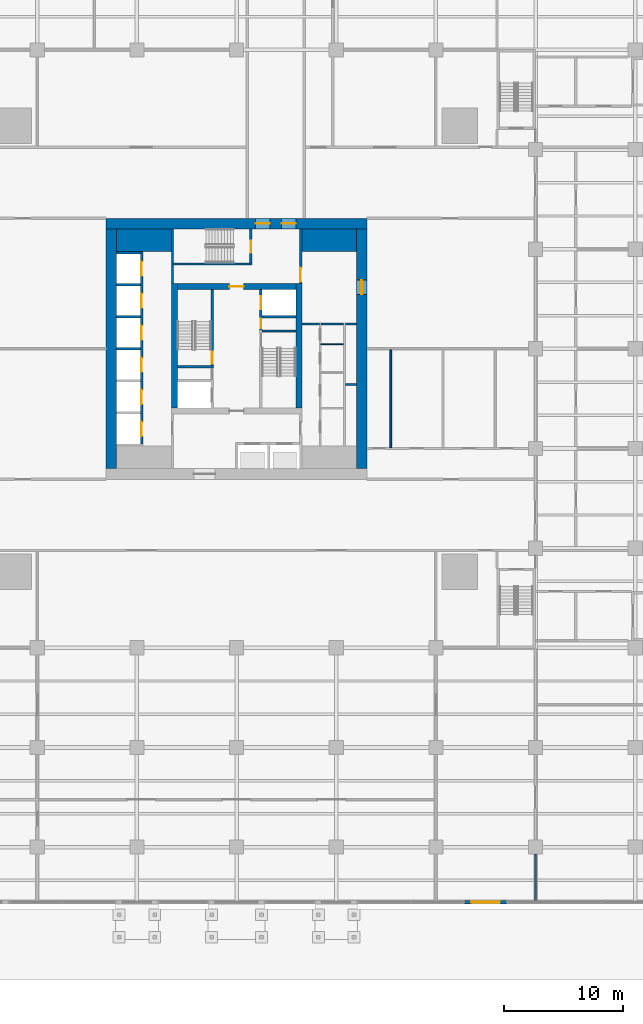
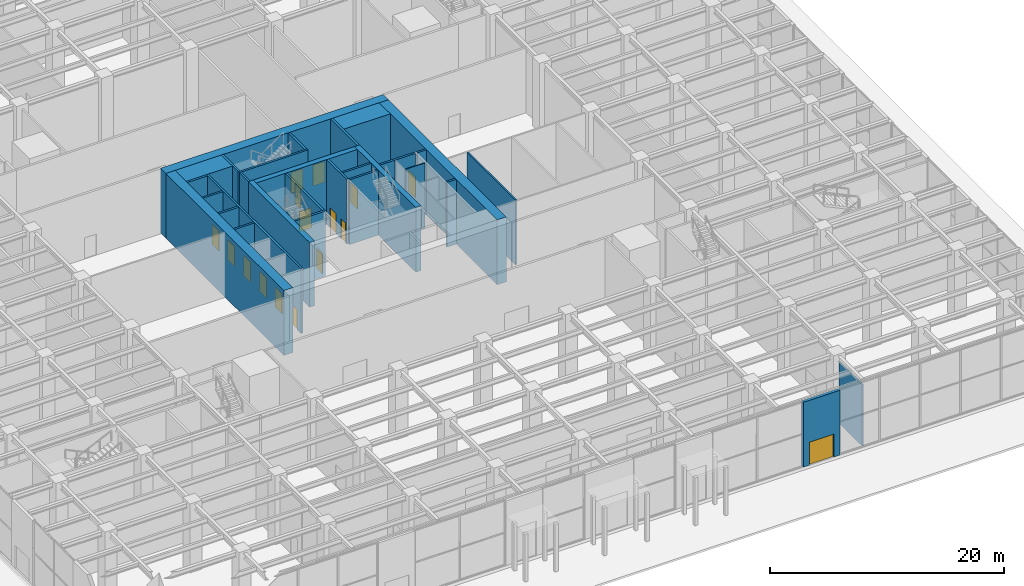
# One storey, part 31 of 43: 31 walls, 16 doors, 16 openings.
"""IFC4 building model written with IfcOpenShell, lengths in metres."""

from ifc_helpers import new_model, si_unit, direction, frame, frame_2d, origin, place, context, subcontext, project, spatial, rectangle, extrude, material, layer, layer_set, type_object, element, fill, save


model = new_model("IFC4")

# Units and contexts
model_context = context("Model", 3, precision=1e-05, world=origin(), true_north=direction((0.0, 1.0)))
body_context = subcontext(model_context, "Body", "Model", "MODEL_VIEW")
ifc_project = project(units=[si_unit("LENGTHUNIT", "METRE"), si_unit("AREAUNIT", "SQUARE_METRE"), si_unit("VOLUMEUNIT", "CUBIC_METRE"), si_unit("PLANEANGLEUNIT", "RADIAN"), si_unit("MASSUNIT", "GRAM", prefix="KILO")], contexts=[model_context])

# Site, building, storey
site_placement = place(None, origin())
site = spatial("IfcSite", under=ifc_project, at=site_placement, CompositionType="ELEMENT")
building_placement = place(site_placement, origin())
building = spatial("IfcBuilding", under=site, at=building_placement, Name="Khepri Terraces", CompositionType="ELEMENT")
storey_placement = place(building_placement, origin())
storey = spatial("IfcBuildingStorey", under=building, at=storey_placement, Name="L00", CompositionType="ELEMENT", Elevation=0.0)

# Walls
ifc_material_1 = material(Name="Concrete C80/95", Category="concrete")
ifc_layer_1 = layer(ifc_material_1, 1.89990234375, Name="Concrete C80/95", Category="concrete")
ifc_layer_set_1 = layer_set([ifc_layer_1], Name="Concrete C80/95")
wall_type_1 = type_object("IfcWallType", Name="Core wall 1900 C80/95", PredefinedType="SHEAR", material=ifc_layer_set_1)
for number, where, z_axis, x_axis, name in (
    (1, (-10.10009765625, 9.14990234375, 0.0), (0.0, 0.0, 1.0), (1.0, 0.0, 0.0), "Core wall PR03 L00"),
    (2, (5.5, 9.14990234375, 0.0), (0.0, 0.0, 1.0), (1.0, 0.0, 0.0), "Core wall PR04 L00"),
):
    element("IfcWall", number, at=place(storey_placement, frame(where, z_axis=z_axis, x_axis=x_axis)), inside=storey, type_object=wall_type_1, Name=name, PredefinedType="SHEAR", context=body_context, shape_type="SweptSolid", body=[
        extrude(rectangle(XDim=4.60009765625, YDim=1.89990234375, at=frame_2d((2.300048828125, 0.0))), origin(), (0.0, 0.0, 1.0), 6.780029296875),
    ])
ifc_layer_2 = layer(ifc_material_1, 0.199951171875, Name="Concrete C80/95", Category="concrete")
ifc_layer_set_2 = layer_set([ifc_layer_2], Name="Concrete C80/95")
wall_type_2 = type_object("IfcWallType", Name="Core wall 200 C80/95", PredefinedType="SHEAR", material=ifc_layer_set_2)
wall_1_placement = place(storey_placement, frame((-5.0, -1.5, 0.0), z_axis=(0.0, 0.0, 1.0), x_axis=(1.0, 0.0, 0.0)))
element("IfcWall", 3, at=wall_1_placement, inside=storey, type_object=wall_type_2, Name="Core wall ST02 L00", PredefinedType="SHEAR", context=body_context, shape_type="SweptSolid", body=[
    extrude(rectangle(XDim=3.050048828125, YDim=0.199951171875, at=frame_2d((1.52490234375, 0.0))), origin(), (0.0, 0.0, 1.0), 6.780029296875),
])

# Wall, opening, door
wall_2_placement = place(storey_placement, frame((-2.050048828125, -1.39990234375, 0.0), z_axis=(0.0, 0.0, 1.0), x_axis=(0.0, 1.0, 0.0)))
wall_2 = element("IfcWall", 4, at=wall_2_placement, inside=storey, type_object=wall_type_2, Name="Core wall ST03 L00", PredefinedType="SHEAR", context=body_context, shape_type="SweptSolid", body=[
    extrude(rectangle(XDim=6.39990234375, YDim=0.199951171875, at=frame_2d((3.199951171875, 0.0))), origin(), (0.0, 0.0, 1.0), 6.780029296875),
])
opening_1_placement = place(wall_2_placement, frame((0.14990234375, 0.0, 0.0)))
opening_1 = element("IfcOpeningElement", 5, at=opening_1_placement, cuts=wall_2, Name="Opening L00-C11", PredefinedType="OPENING", context=body_context, shape_type="SweptSolid", body=[
    extrude(rectangle(XDim=1.0, YDim=2.10009765625, at=frame_2d((0.5, 1.050048828125))), frame((0.0, 0.10986328125, 0.0), z_axis=(0.0, -1.0, 0.0), x_axis=(1.0, 0.0, 0.0)), (0.0, 0.0, 1.0), 0.219970703125),
])
ifc_material_2 = material(Name="Painted steel", Category="steel")
door_type_1 = type_object("IfcDoorType", Name="DR-CORE-STAIR-1000", OperationType="NOTDEFINED", PredefinedType="DOOR", material=ifc_material_2)
door_1_placement = place(opening_1_placement, origin())
door_1 = element("IfcDoor", 6, at=door_1_placement, inside=storey, type_object=door_type_1, Name="Stair door L00-C11", OperationType="SINGLE_SWING_LEFT", OverallHeight=2.10009765625, OverallWidth=1.0, PredefinedType="DOOR", context=body_context, shape_type="SweptSolid", body=[
    extrude(rectangle(XDim=1.0, YDim=2.10009765625, at=frame_2d((0.5, 1.050048828125))), frame((0.0, 0.02490234375, 0.0), z_axis=(0.0, -1.0, 0.0), x_axis=(1.0, 0.0, 0.0)), (0.0, 0.0, 1.0), 0.050048828125),
])
fill(opening_1, door_1)

# Walls
wall_3_placement = place(storey_placement, frame((2.14990234375, 1.5, 0.0), z_axis=(0.0, 0.0, 1.0), x_axis=(1.0, 0.0, 0.0)))
element("IfcWall", 7, at=wall_3_placement, inside=storey, type_object=wall_type_2, Name="Core wall ST04 L00", PredefinedType="SHEAR", context=body_context, shape_type="SweptSolid", body=[
    extrude(rectangle(XDim=2.85009765625, YDim=0.199951171875, at=frame_2d((1.425048828125, 0.0))), origin(), (0.0, 0.0, 1.0), 6.780029296875),
])
wall_4_placement = place(storey_placement, frame((-5.5, 7.14990234375, 0.0), z_axis=(0.0, 0.0, 1.0), x_axis=(1.0, 0.0, 0.0)))
element("IfcWall", 8, at=wall_4_placement, inside=storey, type_object=wall_type_2, Name="Core wall ST05 L00", PredefinedType="SHEAR", context=body_context, shape_type="SweptSolid", body=[
    extrude(rectangle(XDim=6.800048828125, YDim=0.199951171875, at=frame_2d((3.39990234375, 0.0))), origin(), (0.0, 0.0, 1.0), 6.780029296875),
])
wall_5_placement = place(storey_placement, frame((-5.39990234375, 7.25, 0.0), z_axis=(0.0, 0.0, 1.0), x_axis=(0.0, 1.0, 0.0)))
element("IfcWall", 9, at=wall_5_placement, inside=storey, type_object=wall_type_2, Name="Core wall ST06 L00", PredefinedType="SHEAR", context=body_context, shape_type="SweptSolid", body=[
    extrude(rectangle(XDim=2.85009765625, YDim=0.199951171875, at=frame_2d((1.425048828125, 0.0))), origin(), (0.0, 0.0, 1.0), 6.780029296875),
])

# Wall, opening, door
wall_6_placement = place(storey_placement, frame((1.199951171875, 7.25, 0.0), z_axis=(0.0, 0.0, 1.0), x_axis=(0.0, 1.0, 0.0)))
wall_6 = element("IfcWall", 10, at=wall_6_placement, inside=storey, type_object=wall_type_2, Name="Core wall ST07 L00", PredefinedType="SHEAR", context=body_context, shape_type="SweptSolid", body=[
    extrude(rectangle(XDim=2.85009765625, YDim=0.199951171875, at=frame_2d((1.425048828125, 0.0))), origin(), (0.0, 0.0, 1.0), 6.780029296875),
])
opening_2_placement = place(wall_6_placement, frame((0.85009765625, 0.0, 0.0)))
opening_2 = element("IfcOpeningElement", 11, at=opening_2_placement, cuts=wall_6, Name="Opening L00-C17", PredefinedType="OPENING", context=body_context, shape_type="SweptSolid", body=[
    extrude(rectangle(XDim=1.0, YDim=2.10009765625, at=frame_2d((0.5, 1.050048828125))), frame((0.0, 0.10986328125, 0.0), z_axis=(0.0, -1.0, 0.0), x_axis=(1.0, 0.0, 0.0)), (0.0, 0.0, 1.0), 0.219970703125),
])
door_2_placement = place(opening_2_placement, origin())
door_2 = element("IfcDoor", 12, at=door_2_placement, inside=storey, type_object=door_type_1, Name="Stair door L00-C17", OperationType="SINGLE_SWING_LEFT", OverallHeight=2.10009765625, OverallWidth=1.0, PredefinedType="DOOR", context=body_context, shape_type="SweptSolid", body=[
    extrude(rectangle(XDim=1.0, YDim=2.10009765625, at=frame_2d((0.5, 1.050048828125))), frame((0.0, 0.02490234375, 0.0), z_axis=(0.0, -1.0, 0.0), x_axis=(1.0, 0.0, 0.0)), (0.0, 0.0, 1.0), 0.050048828125),
])
fill(opening_2, door_2)

# Wall, openings, doors
wall_7_placement = place(storey_placement, frame((-8.0, -8.0, 0.0), z_axis=(0.0, 0.0, 1.0), x_axis=(0.0, 1.0, 0.0)))
wall_7 = element("IfcWall", 13, at=wall_7_placement, inside=storey, type_object=wall_type_2, Name="Core wall SH08 L00", PredefinedType="SHEAR", context=body_context, shape_type="SweptSolid", body=[
    extrude(rectangle(XDim=16.199951171875, YDim=0.199951171875, at=frame_2d((8.10009765625, 0.0))), origin(), (0.0, 0.0, 1.0), 6.780029296875),
])
opening_3_placement = place(wall_7_placement, frame((0.64990234375, 0.0, 0.0)))
opening_3 = element("IfcOpeningElement", 14, at=opening_3_placement, cuts=wall_7, Name="Opening L00-C01", PredefinedType="OPENING", context=body_context, shape_type="SweptSolid", body=[
    extrude(rectangle(XDim=1.199951171875, YDim=2.10009765625, at=frame_2d((0.60009765625, 1.050048828125))), frame((0.0, 0.10986328125, 0.0), z_axis=(0.0, -1.0, 0.0), x_axis=(1.0, 0.0, 0.0)), (0.0, 0.0, 1.0), 0.219970703125),
])
opening_4_placement = place(wall_7_placement, frame((3.35009765625, 0.0, 0.0)))
opening_4 = element("IfcOpeningElement", 15, at=opening_4_placement, cuts=wall_7, Name="Opening L00-C02", PredefinedType="OPENING", context=body_context, shape_type="SweptSolid", body=[
    extrude(rectangle(XDim=1.199951171875, YDim=2.10009765625, at=frame_2d((0.60009765625, 1.050048828125))), frame((0.0, 0.10986328125, 0.0), z_axis=(0.0, -1.0, 0.0), x_axis=(1.0, 0.0, 0.0)), (0.0, 0.0, 1.0), 0.219970703125),
])
opening_5_placement = place(wall_7_placement, frame((6.050048828125, 0.0, 0.0)))
opening_5 = element("IfcOpeningElement", 16, at=opening_5_placement, cuts=wall_7, Name="Opening L00-C03", PredefinedType="OPENING", context=body_context, shape_type="SweptSolid", body=[
    extrude(rectangle(XDim=1.199951171875, YDim=2.10009765625, at=frame_2d((0.60009765625, 1.050048828125))), frame((0.0, 0.10986328125, 0.0), z_axis=(0.0, -1.0, 0.0), x_axis=(1.0, 0.0, 0.0)), (0.0, 0.0, 1.0), 0.219970703125),
])
opening_6_placement = place(wall_7_placement, frame((8.75, 0.0, 0.0)))
opening_6 = element("IfcOpeningElement", 17, at=opening_6_placement, cuts=wall_7, Name="Opening L00-C04", PredefinedType="OPENING", context=body_context, shape_type="SweptSolid", body=[
    extrude(rectangle(XDim=1.199951171875, YDim=2.10009765625, at=frame_2d((0.60009765625, 1.050048828125))), frame((0.0, 0.10986328125, 0.0), z_axis=(0.0, -1.0, 0.0), x_axis=(1.0, 0.0, 0.0)), (0.0, 0.0, 1.0), 0.219970703125),
])
opening_7_placement = place(wall_7_placement, frame((11.449951171875, 0.0, 0.0)))
opening_7 = element("IfcOpeningElement", 18, at=opening_7_placement, cuts=wall_7, Name="Opening L00-C05", PredefinedType="OPENING", context=body_context, shape_type="SweptSolid", body=[
    extrude(rectangle(XDim=1.199951171875, YDim=2.10009765625, at=frame_2d((0.60009765625, 1.050048828125))), frame((0.0, 0.10986328125, 0.0), z_axis=(0.0, -1.0, 0.0), x_axis=(1.0, 0.0, 0.0)), (0.0, 0.0, 1.0), 0.219970703125),
])
opening_8_placement = place(wall_7_placement, frame((14.14990234375, 0.0, 0.0)))
opening_8 = element("IfcOpeningElement", 19, at=opening_8_placement, cuts=wall_7, Name="Opening L00-C06", PredefinedType="OPENING", context=body_context, shape_type="SweptSolid", body=[
    extrude(rectangle(XDim=1.199951171875, YDim=2.10009765625, at=frame_2d((0.60009765625, 1.050048828125))), frame((0.0, 0.10986328125, 0.0), z_axis=(0.0, -1.0, 0.0), x_axis=(1.0, 0.0, 0.0)), (0.0, 0.0, 1.0), 0.219970703125),
])
ifc_material_3 = material(Name="Stainless steel 304", Category="steel")
door_type_2 = type_object("IfcDoorType", Name="DR-CORE-LANDING-1200", OperationType="NOTDEFINED", PredefinedType="DOOR", material=ifc_material_3)
door_3_placement = place(opening_3_placement, origin())
door_3 = element("IfcDoor", 20, at=door_3_placement, inside=storey, type_object=door_type_2, Name="Lift landing door L00-C01", OperationType="SLIDING_TO_LEFT", OverallHeight=2.10009765625, OverallWidth=1.199951171875, PredefinedType="DOOR", context=body_context, shape_type="SweptSolid", body=[
    extrude(rectangle(XDim=1.199951171875, YDim=2.10009765625, at=frame_2d((0.60009765625, 1.050048828125))), frame((0.0, 0.02490234375, 0.0), z_axis=(0.0, -1.0, 0.0), x_axis=(1.0, 0.0, 0.0)), (0.0, 0.0, 1.0), 0.050048828125),
])
fill(opening_3, door_3)
door_4_placement = place(opening_4_placement, origin())
door_4 = element("IfcDoor", 21, at=door_4_placement, inside=storey, type_object=door_type_2, Name="Lift landing door L00-C02", OperationType="SLIDING_TO_LEFT", OverallHeight=2.10009765625, OverallWidth=1.199951171875, PredefinedType="DOOR", context=body_context, shape_type="SweptSolid", body=[
    extrude(rectangle(XDim=1.199951171875, YDim=2.10009765625, at=frame_2d((0.60009765625, 1.050048828125))), frame((0.0, 0.02490234375, 0.0), z_axis=(0.0, -1.0, 0.0), x_axis=(1.0, 0.0, 0.0)), (0.0, 0.0, 1.0), 0.050048828125),
])
fill(opening_4, door_4)
door_5_placement = place(opening_5_placement, origin())
door_5 = element("IfcDoor", 22, at=door_5_placement, inside=storey, type_object=door_type_2, Name="Lift landing door L00-C03", OperationType="SLIDING_TO_LEFT", OverallHeight=2.10009765625, OverallWidth=1.199951171875, PredefinedType="DOOR", context=body_context, shape_type="SweptSolid", body=[
    extrude(rectangle(XDim=1.199951171875, YDim=2.10009765625, at=frame_2d((0.60009765625, 1.050048828125))), frame((0.0, 0.02490234375, 0.0), z_axis=(0.0, -1.0, 0.0), x_axis=(1.0, 0.0, 0.0)), (0.0, 0.0, 1.0), 0.050048828125),
])
fill(opening_5, door_5)
door_6_placement = place(opening_6_placement, origin())
door_6 = element("IfcDoor", 23, at=door_6_placement, inside=storey, type_object=door_type_2, Name="Lift landing door L00-C04", OperationType="SLIDING_TO_LEFT", OverallHeight=2.10009765625, OverallWidth=1.199951171875, PredefinedType="DOOR", context=body_context, shape_type="SweptSolid", body=[
    extrude(rectangle(XDim=1.199951171875, YDim=2.10009765625, at=frame_2d((0.60009765625, 1.050048828125))), frame((0.0, 0.02490234375, 0.0), z_axis=(0.0, -1.0, 0.0), x_axis=(1.0, 0.0, 0.0)), (0.0, 0.0, 1.0), 0.050048828125),
])
fill(opening_6, door_6)
door_7_placement = place(opening_7_placement, origin())
door_7 = element("IfcDoor", 24, at=door_7_placement, inside=storey, type_object=door_type_2, Name="Lift landing door L00-C05", OperationType="SLIDING_TO_LEFT", OverallHeight=2.10009765625, OverallWidth=1.199951171875, PredefinedType="DOOR", context=body_context, shape_type="SweptSolid", body=[
    extrude(rectangle(XDim=1.199951171875, YDim=2.10009765625, at=frame_2d((0.60009765625, 1.050048828125))), frame((0.0, 0.02490234375, 0.0), z_axis=(0.0, -1.0, 0.0), x_axis=(1.0, 0.0, 0.0)), (0.0, 0.0, 1.0), 0.050048828125),
])
fill(opening_7, door_7)
door_8_placement = place(opening_8_placement, origin())
door_8 = element("IfcDoor", 25, at=door_8_placement, inside=storey, type_object=door_type_2, Name="Lift landing door L00-C06", OperationType="SLIDING_TO_LEFT", OverallHeight=2.10009765625, OverallWidth=1.199951171875, PredefinedType="DOOR", context=body_context, shape_type="SweptSolid", body=[
    extrude(rectangle(XDim=1.199951171875, YDim=2.10009765625, at=frame_2d((0.60009765625, 1.050048828125))), frame((0.0, 0.02490234375, 0.0), z_axis=(0.0, -1.0, 0.0), x_axis=(1.0, 0.0, 0.0)), (0.0, 0.0, 1.0), 0.050048828125),
])
fill(opening_8, door_8)

# Walls
wall_8_placement = place(storey_placement, frame((9.199951171875, -3.0, 0.0), z_axis=(0.0, 0.0, 1.0), x_axis=(1.0, 0.0, 0.0)))
element("IfcWall", 26, at=wall_8_placement, inside=storey, type_object=wall_type_2, Name="Core wall SH11 L00", PredefinedType="SHEAR", context=body_context, shape_type="SweptSolid", body=[
    extrude(rectangle(XDim=0.900146484375, YDim=0.199951171875, at=frame_2d((0.4501953125, 0.0))), origin(), (0.0, 0.0, 1.0), 6.780029296875),
])
wall_9_placement = place(storey_placement, frame((-10.10009765625, 0.0, 0.0), z_axis=(0.0, 0.0, 1.0), x_axis=(1.0, 0.0, 0.0)))
element("IfcWall", 27, at=wall_9_placement, inside=storey, type_object=wall_type_2, Name="Core wall SH14 L00", PredefinedType="SHEAR", context=body_context, shape_type="SweptSolid", body=[
    extrude(rectangle(XDim=2.0, YDim=0.199951171875, at=frame_2d((1.0, 0.0))), origin(), (0.0, 0.0, 1.0), 6.780029296875),
])

# Wall, openings, doors
wall_10_placement = place(storey_placement, frame((2.050048828125, 1.60009765625, 0.0), z_axis=(0.0, 0.0, 1.0), x_axis=(0.0, 1.0, 0.0)))
wall_10 = element("IfcWall", 28, at=wall_10_placement, inside=storey, type_object=wall_type_2, Name="Core wall SH15 L00", PredefinedType="SHEAR", context=body_context, shape_type="SweptSolid", body=[
    extrude(rectangle(XDim=3.39990234375, YDim=0.199951171875, at=frame_2d((1.699951171875, 0.0))), origin(), (0.0, 0.0, 1.0), 6.780029296875),
])
opening_9_placement = place(wall_10_placement, frame((1.75, 0.0, 0.0)))
opening_9 = element("IfcOpeningElement", 29, at=opening_9_placement, cuts=wall_10, Name="Opening L00-C09", PredefinedType="OPENING", context=body_context, shape_type="SweptSolid", body=[
    extrude(rectangle(XDim=1.10009765625, YDim=2.10009765625, at=frame_2d((0.550048828125, 1.050048828125))), frame((0.0, 0.10986328125, 0.0), z_axis=(0.0, -1.0, 0.0), x_axis=(1.0, 0.0, 0.0)), (0.0, 0.0, 1.0), 0.219970703125),
])
opening_10_placement = place(wall_10_placement, frame((0.14990234375, 0.0, 0.0)))
opening_10 = element("IfcOpeningElement", 30, at=opening_10_placement, cuts=wall_10, Name="Opening L00-C13", PredefinedType="OPENING", context=body_context, shape_type="SweptSolid", body=[
    extrude(rectangle(XDim=0.800048828125, YDim=2.10009765625, at=frame_2d((0.39990234375, 1.050048828125))), frame((0.0, 0.10986328125, 0.0), z_axis=(0.0, -1.0, 0.0), x_axis=(1.0, 0.0, 0.0)), (0.0, 0.0, 1.0), 0.219970703125),
])
door_type_3 = type_object("IfcDoorType", Name="DR-CORE-FF-LANDING-1100", OperationType="NOTDEFINED", PredefinedType="DOOR", material=ifc_material_3)
door_9_placement = place(opening_9_placement, origin())
door_9 = element("IfcDoor", 31, at=door_9_placement, inside=storey, type_object=door_type_3, Name="Firefighting lift landing door L00-C09", OperationType="SLIDING_TO_LEFT", OverallHeight=2.10009765625, OverallWidth=1.10009765625, PredefinedType="DOOR", context=body_context, shape_type="SweptSolid", body=[
    extrude(rectangle(XDim=1.10009765625, YDim=2.10009765625, at=frame_2d((0.550048828125, 1.050048828125))), frame((0.0, 0.02490234375, 0.0), z_axis=(0.0, -1.0, 0.0), x_axis=(1.0, 0.0, 0.0)), (0.0, 0.0, 1.0), 0.050048828125),
])
fill(opening_9, door_9)
door_type_4 = type_object("IfcDoorType", Name="DR-CORE-RISER-800", OperationType="NOTDEFINED", PredefinedType="DOOR", material=ifc_material_2)
door_10_placement = place(opening_10_placement, frame((0.800048828125, 0.0, 0.0), z_axis=(0.0, 0.0, 1.0), x_axis=(-1.0, 0.0, 0.0)))
door_10 = element("IfcDoor", 32, at=door_10_placement, inside=storey, type_object=door_type_4, Name="Riser door L00-C13", OperationType="SINGLE_SWING_RIGHT", OverallHeight=2.10009765625, OverallWidth=0.800048828125, PredefinedType="DOOR", context=body_context, shape_type="SweptSolid", body=[
    extrude(rectangle(XDim=0.800048828125, YDim=2.10009765625, at=frame_2d((0.39990234375, 1.050048828125))), frame((0.0, 0.02490234375, 0.0), z_axis=(0.0, -1.0, 0.0), x_axis=(1.0, 0.0, 0.0)), (0.0, 0.0, 1.0), 0.050048828125),
])
fill(opening_10, door_10)

# Walls
wall_11_placement = place(storey_placement, frame((9.199951171875, 2.10009765625, 0.0), z_axis=(0.0, 0.0, 1.0), x_axis=(1.0, 0.0, 0.0)))
element("IfcWall", 33, at=wall_11_placement, inside=storey, type_object=wall_type_2, Name="Core wall SH16 L00", PredefinedType="SHEAR", context=body_context, shape_type="SweptSolid", body=[
    extrude(rectangle(XDim=0.900146484375, YDim=0.199951171875, at=frame_2d((0.4501953125, 0.0))), origin(), (0.0, 0.0, 1.0), 6.780029296875),
])
wall_12_placement = place(storey_placement, frame((-10.10009765625, 2.699951171875, 0.0), z_axis=(0.0, 0.0, 1.0), x_axis=(1.0, 0.0, 0.0)))
element("IfcWall", 34, at=wall_12_placement, inside=storey, type_object=wall_type_2, Name="Core wall SH17 L00", PredefinedType="SHEAR", context=body_context, shape_type="SweptSolid", body=[
    extrude(rectangle(XDim=2.0, YDim=0.199951171875, at=frame_2d((1.0, 0.0))), origin(), (0.0, 0.0, 1.0), 6.780029296875),
])
wall_13_placement = place(storey_placement, frame((2.14990234375, 2.699951171875, 0.0), z_axis=(0.0, 0.0, 1.0), x_axis=(1.0, 0.0, 0.0)))
element("IfcWall", 35, at=wall_13_placement, inside=storey, type_object=wall_type_2, Name="Core wall SH18 L00", PredefinedType="SHEAR", context=body_context, shape_type="SweptSolid", body=[
    extrude(rectangle(XDim=2.85009765625, YDim=0.199951171875, at=frame_2d((1.425048828125, 0.0))), origin(), (0.0, 0.0, 1.0), 6.780029296875),
])
for number, where, z_axis, x_axis, name in (
    (36, (-10.10009765625, 5.39990234375, 0.0), (0.0, 0.0, 1.0), (1.0, 0.0, 0.0), "Core wall SH19 L00"),
    (37, (-10.10009765625, 8.10009765625, 0.0), (0.0, 0.0, 1.0), (1.0, 0.0, 0.0), "Core wall SH20 L00"),
):
    element("IfcWall", number, at=place(storey_placement, frame(where, z_axis=z_axis, x_axis=x_axis)), inside=storey, type_object=wall_type_2, Name=name, PredefinedType="SHEAR", context=body_context, shape_type="SweptSolid", body=[
        extrude(rectangle(XDim=2.0, YDim=0.199951171875, at=frame_2d((1.0, 0.0))), origin(), (0.0, 0.0, 1.0), 6.780029296875),
    ])
ifc_layer_3 = layer(ifc_material_1, 0.5, Name="Concrete C80/95", Category="concrete")
ifc_layer_set_3 = layer_set([ifc_layer_3], Name="Concrete C80/95")
wall_type_3 = type_object("IfcWallType", Name="Core wall 500 C80/95", PredefinedType="SHEAR", material=ifc_layer_set_3)
for number, where, z_axis, x_axis, name in (
    (38, (-5.25, -5.0, 0.0), (0.0, 0.0, 1.0), (0.0, 1.0, 0.0), "Core wall BX02 L00"),
    (39, (5.25, -5.0, 0.0), (0.0, 0.0, 1.0), (0.0, 1.0, 0.0), "Core wall BX03 L00"),
):
    element("IfcWall", number, at=place(storey_placement, frame(where, z_axis=z_axis, x_axis=x_axis)), inside=storey, type_object=wall_type_3, Name=name, PredefinedType="SHEAR", context=body_context, shape_type="SweptSolid", body=[
        extrude(rectangle(XDim=10.5, YDim=0.5, at=frame_2d((5.25, 0.0))), origin(), (0.0, 0.0, 1.0), 6.780029296875),
    ])

# Wall, opening, door
wall_14_placement = place(storey_placement, frame((-5.0, 5.25, 0.0), z_axis=(0.0, 0.0, 1.0), x_axis=(1.0, 0.0, 0.0)))
wall_14 = element("IfcWall", 40, at=wall_14_placement, inside=storey, type_object=wall_type_3, Name="Core wall BX04 L00", PredefinedType="SHEAR", context=body_context, shape_type="SweptSolid", body=[
    extrude(rectangle(XDim=10.0, YDim=0.5, at=frame_2d((5.0, 0.0))), origin(), (0.0, 0.0, 1.0), 6.780029296875),
])
opening_11_placement = place(wall_14_placement, frame((4.39990234375, 0.0, 0.0)))
opening_11 = element("IfcOpeningElement", 41, at=opening_11_placement, cuts=wall_14, Name="Opening L00-C15", PredefinedType="OPENING", context=body_context, shape_type="SweptSolid", body=[
    extrude(rectangle(XDim=1.199951171875, YDim=2.10009765625, at=frame_2d((0.60009765625, 1.050048828125))), frame((0.0, 0.260009765625, 0.0), z_axis=(0.0, -1.0, 0.0), x_axis=(1.0, 0.0, 0.0)), (0.0, 0.0, 1.0), 0.52001953125),
])
door_type_5 = type_object("IfcDoorType", Name="DR-CORE-FF-LOBBY-1200", OperationType="NOTDEFINED", PredefinedType="DOOR", material=ifc_material_2)
door_11_placement = place(opening_11_placement, frame((1.199951171875, 0.0, 0.0), z_axis=(0.0, 0.0, 1.0), x_axis=(-1.0, 0.0, 0.0)))
door_11 = element("IfcDoor", 42, at=door_11_placement, inside=storey, type_object=door_type_5, Name="Firefighting lobby door L00-C15", OperationType="SINGLE_SWING_LEFT", OverallHeight=2.10009765625, OverallWidth=1.199951171875, PredefinedType="DOOR", context=body_context, shape_type="SweptSolid", body=[
    extrude(rectangle(XDim=1.199951171875, YDim=2.10009765625, at=frame_2d((0.60009765625, 1.050048828125))), frame((0.0, 0.02490234375, 0.0), z_axis=(0.0, -1.0, 0.0), x_axis=(1.0, 0.0, 0.0)), (0.0, 0.0, 1.0), 0.050048828125),
])
fill(opening_11, door_11)

# Wall, openings, doors
ifc_layer_4 = layer(ifc_material_1, 0.89990234375, Name="Concrete C80/95", Category="concrete")
ifc_layer_set_4 = layer_set([ifc_layer_4], Name="Concrete C80/95")
wall_type_4 = type_object("IfcWallType", Name="Core wall 900 C80/95", PredefinedType="SHEAR", material=ifc_layer_set_4)
wall_15_placement = place(storey_placement, frame((-11.0, 10.550048828125, 0.0), z_axis=(0.0, 0.0, 1.0), x_axis=(1.0, 0.0, 0.0)))
wall_15 = element("IfcWall", 43, at=wall_15_placement, inside=storey, type_object=wall_type_4, Name="Core wall OW-N L00", PredefinedType="SHEAR", context=body_context, shape_type="SweptSolid", body=[
    extrude(rectangle(XDim=22.0, YDim=0.89990234375, at=frame_2d((11.0, 0.0))), origin(), (0.0, 0.0, 1.0), 6.780029296875),
])
opening_12_placement = place(wall_15_placement, frame((12.60009765625, 0.0, 0.0)))
opening_12 = element("IfcOpeningElement", 44, at=opening_12_placement, cuts=wall_15, Name="Opening L00-C20", PredefinedType="OPENING", context=body_context, shape_type="SweptSolid", body=[
    extrude(rectangle(XDim=1.199951171875, YDim=2.199951171875, at=frame_2d((0.60009765625, 1.10009765625))), frame((0.0, 0.4599609375, 0.0), z_axis=(0.0, -1.0, 0.0), x_axis=(1.0, 0.0, 0.0)), (0.0, 0.0, 1.0), 0.919921875),
])
opening_13_placement = place(wall_15_placement, frame((14.800048828125, 0.0, 0.0)))
opening_13 = element("IfcOpeningElement", 45, at=opening_13_placement, cuts=wall_15, Name="Opening L00-C21", PredefinedType="OPENING", context=body_context, shape_type="SweptSolid", body=[
    extrude(rectangle(XDim=1.199951171875, YDim=2.199951171875, at=frame_2d((0.60009765625, 1.10009765625))), frame((0.0, 0.4599609375, 0.0), z_axis=(0.0, -1.0, 0.0), x_axis=(1.0, 0.0, 0.0)), (0.0, 0.0, 1.0), 0.919921875),
])
door_type_6 = type_object("IfcDoorType", Name="DR-CORE-EXIT-1200", OperationType="NOTDEFINED", PredefinedType="DOOR", material=ifc_material_2)
door_12_placement = place(opening_12_placement, origin())
door_12 = element("IfcDoor", 46, at=door_12_placement, inside=storey, type_object=door_type_6, Name="Exit door L00-C20", OperationType="SINGLE_SWING_RIGHT", OverallHeight=2.199951171875, OverallWidth=1.199951171875, PredefinedType="DOOR", context=body_context, shape_type="SweptSolid", body=[
    extrude(rectangle(XDim=1.199951171875, YDim=2.199951171875, at=frame_2d((0.60009765625, 1.10009765625))), frame((0.0, 0.02490234375, 0.0), z_axis=(0.0, -1.0, 0.0), x_axis=(1.0, 0.0, 0.0)), (0.0, 0.0, 1.0), 0.050048828125),
])
fill(opening_12, door_12)
door_13_placement = place(opening_13_placement, origin())
door_13 = element("IfcDoor", 47, at=door_13_placement, inside=storey, type_object=door_type_6, Name="Exit door L00-C21", OperationType="SINGLE_SWING_RIGHT", OverallHeight=2.199951171875, OverallWidth=1.199951171875, PredefinedType="DOOR", context=body_context, shape_type="SweptSolid", body=[
    extrude(rectangle(XDim=1.199951171875, YDim=2.199951171875, at=frame_2d((0.60009765625, 1.10009765625))), frame((0.0, 0.02490234375, 0.0), z_axis=(0.0, -1.0, 0.0), x_axis=(1.0, 0.0, 0.0)), (0.0, 0.0, 1.0), 0.050048828125),
])
fill(opening_13, door_13)

# Wall
wall_16_placement = place(storey_placement, frame((-10.550048828125, -10.10009765625, 0.0), z_axis=(0.0, 0.0, 1.0), x_axis=(0.0, 1.0, 0.0)))
element("IfcWall", 48, at=wall_16_placement, inside=storey, type_object=wall_type_4, Name="Core wall OW-W L00", PredefinedType="SHEAR", context=body_context, shape_type="SweptSolid", body=[
    extrude(rectangle(XDim=20.2001953125, YDim=0.89990234375, at=frame_2d((10.10009765625, 0.0))), origin(), (0.0, 0.0, 1.0), 6.780029296875),
])

# Wall, opening, door
wall_17_placement = place(storey_placement, frame((10.550048828125, -10.10009765625, 0.0), z_axis=(0.0, 0.0, 1.0), x_axis=(0.0, 1.0, 0.0)))
wall_17 = element("IfcWall", 49, at=wall_17_placement, inside=storey, type_object=wall_type_4, Name="Core wall OW-E L00", PredefinedType="SHEAR", context=body_context, shape_type="SweptSolid", body=[
    extrude(rectangle(XDim=20.2001953125, YDim=0.89990234375, at=frame_2d((10.10009765625, 0.0))), origin(), (0.0, 0.0, 1.0), 6.780029296875),
])
opening_14_placement = place(wall_17_placement, frame((14.699951171875, 0.0, 0.0)))
opening_14 = element("IfcOpeningElement", 50, at=opening_14_placement, cuts=wall_17, Name="Opening L00-C24", PredefinedType="OPENING", context=body_context, shape_type="SweptSolid", body=[
    extrude(rectangle(XDim=1.199951171875, YDim=2.199951171875, at=frame_2d((0.60009765625, 1.10009765625))), frame((0.0, 0.4599609375, 0.0), z_axis=(0.0, -1.0, 0.0), x_axis=(1.0, 0.0, 0.0)), (0.0, 0.0, 1.0), 0.919921875),
])
door_14_placement = place(opening_14_placement, frame((1.199951171875, 0.0, 0.0), z_axis=(0.0, 0.0, 1.0), x_axis=(-1.0, 0.0, 0.0)))
door_14 = element("IfcDoor", 51, at=door_14_placement, inside=storey, type_object=door_type_6, Name="Exit door L00-C24", OperationType="SINGLE_SWING_LEFT", OverallHeight=2.199951171875, OverallWidth=1.199951171875, PredefinedType="DOOR", context=body_context, shape_type="SweptSolid", body=[
    extrude(rectangle(XDim=1.199951171875, YDim=2.199951171875, at=frame_2d((0.60009765625, 1.10009765625))), frame((0.0, 0.02490234375, 0.0), z_axis=(0.0, -1.0, 0.0), x_axis=(1.0, 0.0, 0.0)), (0.0, 0.0, 1.0), 0.050048828125),
])
fill(opening_14, door_14)

# Walls
ifc_material_4 = material(Name="Fire-rated gypsum board partition")
ifc_layer_5 = layer(ifc_material_4, 0.10009765625, Name="Fire-rated gypsum board partition")
ifc_layer_set_5 = layer_set([ifc_layer_5], Name="Fire-rated gypsum board partition")
wall_type_5 = type_object("IfcWallType", Name="WL-CORE-PART-100", PredefinedType="PARTITIONING", material=ifc_layer_set_5)
wall_18_placement = place(storey_placement, frame((7.10009765625, 0.39990234375, 0.0), z_axis=(0.0, 0.0, 1.0), x_axis=(1.0, 0.0, 0.0)))
element("IfcWall", 52, at=wall_18_placement, inside=storey, type_object=wall_type_5, Name="Core partition PT06 L00", PredefinedType="PARTITIONING", context=body_context, shape_type="SweptSolid", body=[
    extrude(rectangle(XDim=1.89990234375, YDim=0.10009765625, at=frame_2d((0.949951171875, 0.0))), origin(), (0.0, 0.0, 1.0), 6.780029296875),
])
ifc_layer_6 = layer(ifc_material_4, 0.199951171875, Name="Fire-rated gypsum board partition")
ifc_layer_set_6 = layer_set([ifc_layer_6], Name="Fire-rated gypsum board partition")
wall_type_6 = type_object("IfcWallType", Name="WL-CORE-PART-200", PredefinedType="PARTITIONING", material=ifc_layer_set_6)
wall_19_placement = place(storey_placement, frame((5.5, 2.10009765625, 0.0), z_axis=(0.0, 0.0, 1.0), x_axis=(1.0, 0.0, 0.0)))
element("IfcWall", 53, at=wall_19_placement, inside=storey, type_object=wall_type_6, Name="Core partition PT07 L00", PredefinedType="PARTITIONING", context=body_context, shape_type="SweptSolid", body=[
    extrude(rectangle(XDim=1.5, YDim=0.199951171875, at=frame_2d((0.75, 0.0))), origin(), (0.0, 0.0, 1.0), 6.780029296875),
])
wall_20_placement = place(storey_placement, frame((7.10009765625, 2.10009765625, 0.0), z_axis=(0.0, 0.0, 1.0), x_axis=(1.0, 0.0, 0.0)))
element("IfcWall", 54, at=wall_20_placement, inside=storey, type_object=wall_type_6, Name="Core partition PT08 L00", PredefinedType="PARTITIONING", context=body_context, shape_type="SweptSolid", body=[
    extrude(rectangle(XDim=1.89990234375, YDim=0.199951171875, at=frame_2d((0.949951171875, 0.0))), origin(), (0.0, 0.0, 1.0), 6.780029296875),
])
wall_21_placement = place(storey_placement, frame((-5.39990234375, 5.5, 0.0), z_axis=(0.0, 0.0, 1.0), x_axis=(0.0, 1.0, 0.0)))
element("IfcWall", 55, at=wall_21_placement, inside=storey, type_object=wall_type_6, Name="Core partition PT09 L00", PredefinedType="PARTITIONING", context=body_context, shape_type="SweptSolid", body=[
    extrude(rectangle(XDim=1.550048828125, YDim=0.199951171875, at=frame_2d((0.77490234375, 0.0))), origin(), (0.0, 0.0, 1.0), 6.780029296875),
])

# Wall, opening, door
wall_22_placement = place(storey_placement, frame((5.39990234375, 5.5, 0.0), z_axis=(0.0, 0.0, 1.0), x_axis=(0.0, 1.0, 0.0)))
wall_22 = element("IfcWall", 56, at=wall_22_placement, inside=storey, type_object=wall_type_6, Name="Core partition PT10 L00", PredefinedType="PARTITIONING", context=body_context, shape_type="SweptSolid", body=[
    extrude(rectangle(XDim=4.60009765625, YDim=0.199951171875, at=frame_2d((2.300048828125, 0.0))), origin(), (0.0, 0.0, 1.0), 6.780029296875),
])
opening_15_placement = place(wall_22_placement, frame((0.14990234375, 0.0, 0.0)))
opening_15 = element("IfcOpeningElement", 57, at=opening_15_placement, cuts=wall_22, Name="Opening L00-C23", PredefinedType="OPENING", context=body_context, shape_type="SweptSolid", body=[
    extrude(rectangle(XDim=1.199951171875, YDim=2.10009765625, at=frame_2d((0.60009765625, 1.050048828125))), frame((0.0, 0.10986328125, 0.0), z_axis=(0.0, -1.0, 0.0), x_axis=(1.0, 0.0, 0.0)), (0.0, 0.0, 1.0), 0.219970703125),
])
door_15_placement = place(opening_15_placement, frame((1.199951171875, 0.0, 0.0), z_axis=(0.0, 0.0, 1.0), x_axis=(-1.0, 0.0, 0.0)))
door_15 = element("IfcDoor", 58, at=door_15_placement, inside=storey, type_object=door_type_5, Name="Firefighting lobby door L00-C23", OperationType="SINGLE_SWING_RIGHT", OverallHeight=2.10009765625, OverallWidth=1.199951171875, PredefinedType="DOOR", context=body_context, shape_type="SweptSolid", body=[
    extrude(rectangle(XDim=1.199951171875, YDim=2.10009765625, at=frame_2d((0.60009765625, 1.050048828125))), frame((0.0, 0.02490234375, 0.0), z_axis=(0.0, -1.0, 0.0), x_axis=(1.0, 0.0, 0.0)), (0.0, 0.0, 1.0), 0.050048828125),
])
fill(opening_15, door_15)

ifc_material_5 = material(Name="Precast concrete C50/60 warm stone", Category="masonry")
ifc_layer_7 = layer(ifc_material_5, 0.300048828125, Name="Precast concrete C50/60 warm stone", Category="masonry")
ifc_layer_set_7 = layer_set([ifc_layer_7], Name="Precast concrete C50/60 warm stone")
wall_type_7 = type_object("IfcWallType", Name="WL-EXT-PRECAST-300", PredefinedType="STANDARD", material=ifc_layer_set_7)
wall_23_placement = place(storey_placement, frame((19.199951171875, -46.64990234375, 0.0), z_axis=(0.0, 0.0, 1.0), x_axis=(1.0, 0.0, 0.0)))
wall_23 = element("IfcWall", 59, at=wall_23_placement, inside=storey, type_object=wall_type_7, Name="External wall L00 S", PredefinedType="STANDARD", context=body_context, shape_type="SweptSolid", body=[
    extrude(rectangle(XDim=3.60009765625, YDim=0.300048828125, at=frame_2d((1.800048828125, 0.0))), origin(), (0.0, 0.0, 1.0), 6.780029296875),
])
opening_16_placement = place(wall_23_placement, frame((0.60009765625, 0.0, 0.0)))
opening_16 = element("IfcOpeningElement", 60, at=opening_16_placement, cuts=wall_23, Name="Opening ED-L00-30", PredefinedType="OPENING", context=body_context, shape_type="SweptSolid", body=[
    extrude(rectangle(XDim=2.39990234375, YDim=2.39990234375, at=frame_2d((1.199951171875, 1.199951171875))), frame((0.0, 0.16015625, 0.0), z_axis=(0.0, -1.0, 0.0), x_axis=(1.0, 0.0, 0.0)), (0.0, 0.0, 1.0), 0.320068359375),
])
ifc_material_6 = material(Name="Anodised aluminium bronze glazed door", Category="aluminium")
door_type_7 = type_object("IfcDoorType", Name="DR-SHOP-2400x2400", OperationType="NOTDEFINED", PredefinedType="DOOR", material=ifc_material_6)
door_16_placement = place(opening_16_placement, frame((2.39990234375, 0.0, 0.0), z_axis=(0.0, 0.0, 1.0), x_axis=(-1.0, 0.0, 0.0)))
door_16 = element("IfcDoor", 61, at=door_16_placement, inside=storey, type_object=door_type_7, Name="Retail door L00 S", OperationType="DOUBLE_DOOR_SINGLE_SWING", OverallHeight=2.39990234375, OverallWidth=2.39990234375, PredefinedType="DOOR", context=body_context, shape_type="SweptSolid", body=[
    extrude(rectangle(XDim=2.39990234375, YDim=2.39990234375, at=frame_2d((1.199951171875, 1.199951171875))), frame((0.0, 0.02490234375, 0.0), z_axis=(0.0, -1.0, 0.0), x_axis=(1.0, 0.0, 0.0)), (0.0, 0.0, 1.0), 0.050048828125),
])
fill(opening_16, door_16)

# Walls
ifc_material_7 = material(Name="Gypsum board partition")
ifc_layer_8 = layer(ifc_material_7, 0.14990234375, Name="Gypsum board partition")
ifc_layer_set_8 = layer_set([ifc_layer_8], Name="Gypsum board partition")
wall_type_8 = type_object("IfcWallType", Name="WL-POD-150", PredefinedType="PARTITIONING", material=ifc_layer_set_8)
wall_24_placement = place(storey_placement, frame((13.0, -8.324951171875, 0.0), z_axis=(0.0, 0.0, 1.0), x_axis=(0.0, 1.0, 0.0)))
element("IfcWall", 62, at=wall_24_placement, inside=storey, type_object=wall_type_8, Name="Partition L00-PW118", PredefinedType="PARTITIONING", context=body_context, shape_type="SweptSolid", body=[
    extrude(rectangle(XDim=8.25, YDim=0.14990234375, at=frame_2d((4.125, 0.0))), origin(), (0.0, 0.0, 1.0), 6.780029296875),
])
wall_25_placement = place(storey_placement, frame((25.199951171875, -46.550048828125, 0.0), z_axis=(0.0, 0.0, 1.0), x_axis=(0.0, 1.0, 0.0)))
element("IfcWall", 63, at=wall_25_placement, inside=storey, type_object=wall_type_8, Name="Partition L00-PW131", PredefinedType="PARTITIONING", context=body_context, shape_type="SweptSolid", body=[
    extrude(rectangle(XDim=3.949951171875, YDim=0.14990234375, at=frame_2d((1.97509765625, 0.0))), origin(), (0.0, 0.0, 1.0), 6.3798828125),
])

save(model, "model.ifc")
